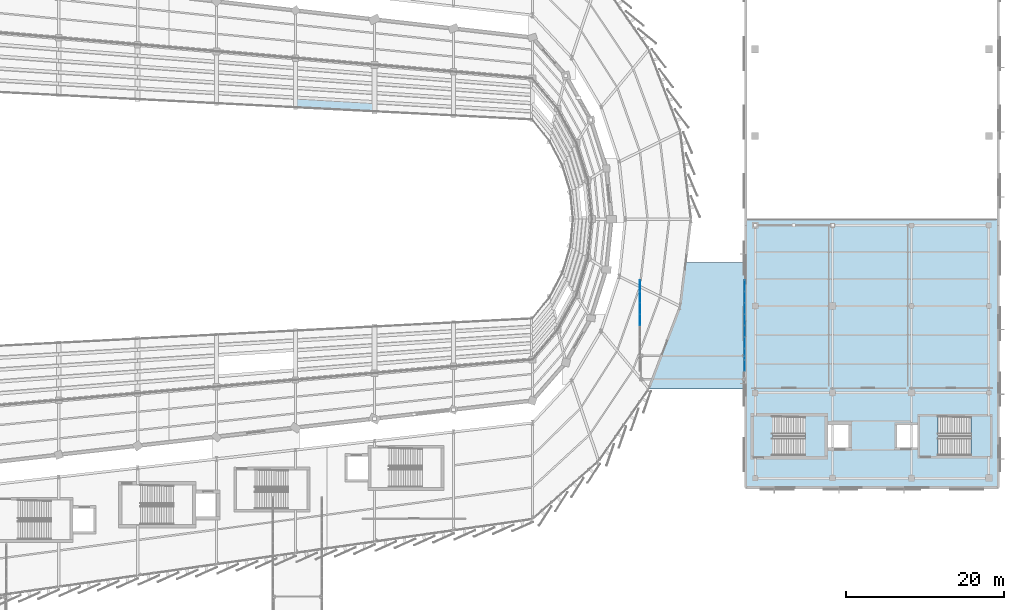
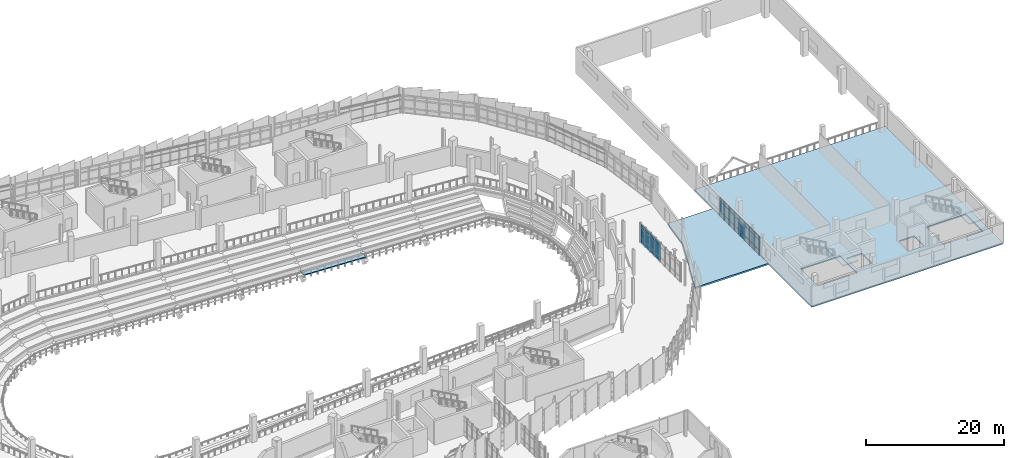
# One storey, part 99 of 134: 36 plates, 5 slabs, 4 elements without a shape of their own.
"""IFC4 building model written with IfcOpenShell, lengths in metres."""

import ifcopenshell
import ifcopenshell.guid

model = None  # the IFC model being written
_history = None  # IfcOwnerHistory: only IFC2X3 demands one
_inside = {}  # id of a spatial element -> (the spatial element, [elements in it])
_under = {}  # id of a project, library or spatial element -> (it, [spatial elements below it])
_declared = {}  # id of a project -> (the project, [libraries it declares])
_typed = {}  # id of a type object -> (the type object, [elements of that type])
_made_of = {}  # id of a material, layer set ... -> (it, [elements and type objects made of it])


def new_model(schema):
    """Start an empty IFC model of exactly this schema.

    Asked for "IFC4X3", IfcOpenShell would pick the latest addendum, in which some entities
    have other attributes; the version numbers below select the first issue.
    IFC2X3 requires an IfcOwnerHistory on every rooted entity: one is made here for all.
    """
    global model, _history
    if schema == "IFC4X3":
        model = ifcopenshell.file(schema_version=(4, 3, 0, 0))
    else:
        model = ifcopenshell.file(schema=schema)
    _inside.clear()
    _under.clear()
    _declared.clear()
    _typed.clear()
    _made_of.clear()
    _history = None
    if model.schema == "IFC2X3":
        org = make("IfcOrganization", Name="unknown")
        user = make(
            "IfcPersonAndOrganization",
            ThePerson=make("IfcPerson", FamilyName="unknown"),
            TheOrganization=org,
        )
        app = make(
            "IfcApplication",
            ApplicationDeveloper=org,
            Version="unknown",
            ApplicationFullName="unknown",
            ApplicationIdentifier="unknown",
        )
        _history = make(
            "IfcOwnerHistory",
            OwningUser=user,
            OwningApplication=app,
            ChangeAction="ADDED",
            CreationDate=0,
        )
    return model


def make(cls, **values):
    """One entity of the class cls with the attributes given. An attribute that is None is left unset."""
    return model.create_entity(
        cls, **{name: value for name, value in values.items() if value is not None}
    )


def rooted(cls, **values):
    """An entity with a GlobalId (a new one), such as an element, a storey or a relation."""
    return make(cls, GlobalId=ifcopenshell.guid.new(), OwnerHistory=_history, **values)


def si_unit(unit_type, name, prefix=None):
    """IfcSIUnit, for example si_unit("LENGTHUNIT", "METRE", prefix="MILLI")."""
    return make("IfcSIUnit", UnitType=unit_type, Prefix=prefix, Name=name)


def assignment(units):
    """IfcUnitAssignment: the units of a project."""
    return None if units is None else make("IfcUnitAssignment", Units=units)


def point(xyz):
    """IfcCartesianPoint."""
    return None if xyz is None else make("IfcCartesianPoint", Coordinates=xyz)


def direction(xyz):
    """IfcDirection."""
    return None if xyz is None else make("IfcDirection", DirectionRatios=xyz)


def frame(location, z_axis=None, x_axis=None):
    """IfcAxis2Placement3D, a coordinate frame: its origin and axes. An axis left out is left unset."""
    return make(
        "IfcAxis2Placement3D",
        Location=point(location),
        Axis=direction(z_axis),
        RefDirection=direction(x_axis),
    )


def frame_2d(location, x_axis=None):
    """IfcAxis2Placement2D, a coordinate frame in the plane: its origin and x axis."""
    return make(
        "IfcAxis2Placement2D", Location=point(location), RefDirection=direction(x_axis)
    )


def origin():
    """The frame at (0, 0, 0) with its axes left unset."""
    return frame((0.0, 0.0, 0.0))


def origin_2d():
    """The frame at (0, 0) in the plane with its x axis left unset."""
    return frame_2d((0.0, 0.0))


def place(relative_to, where):
    """IfcLocalPlacement: puts the frame where relative to a parent placement (None: the world)."""
    return make(
        "IfcLocalPlacement", PlacementRelTo=relative_to, RelativePlacement=where
    )


def context(
    kind, dimensions, precision=None, world=None, true_north=None, identifier=None
):
    """IfcGeometricRepresentationContext, for example the 3D "Model" context."""
    return make(
        "IfcGeometricRepresentationContext",
        ContextIdentifier=identifier,
        ContextType=kind,
        CoordinateSpaceDimension=dimensions,
        Precision=precision,
        WorldCoordinateSystem=world,
        TrueNorth=true_north,
    )


def subcontext(parent, identifier, kind, view, scale=None):
    """IfcGeometricRepresentationSubContext, for example "Body" below "Model"."""
    return make(
        "IfcGeometricRepresentationSubContext",
        ContextIdentifier=identifier,
        ContextType=kind,
        ParentContext=parent,
        TargetScale=scale,
        TargetView=view,
    )


def project(units=None, contexts=None):
    """IfcProject with its units and contexts."""
    return rooted(
        "IfcProject",
        Name="project",
        RepresentationContexts=contexts,
        UnitsInContext=assignment(units),
    )


def spatial(cls, under=None, at=None, **own):
    """A site, building, storey or space (cls), placed at a placement, below another one or the project."""
    s = rooted(cls, ObjectPlacement=at, **own)
    if under is not None:
        _under.setdefault(under.id(), (under, []))[1].append(s)
    return s


def polyline(points):
    """IfcPolyline through the points."""
    return make("IfcPolyline", Points=[point(p) for p in points])


def profile(cls, at=None, kind="AREA", **sizes):
    """A parametric profile (cls). Its sizes go by their IFC names, for example OverallWidth=200.0."""
    return make(cls, ProfileType=kind, Position=at, **sizes)


def rectangle(**sizes):
    """IfcRectangleProfileDef."""
    return profile("IfcRectangleProfileDef", **sizes)


def outline(outer, holes=None, kind="AREA"):
    """IfcArbitraryClosedProfileDef: a profile drawn as a closed curve; with holes, ...WithVoids."""
    if holes is None:
        return make("IfcArbitraryClosedProfileDef", ProfileType=kind, OuterCurve=outer)
    return make(
        "IfcArbitraryProfileDefWithVoids",
        ProfileType=kind,
        OuterCurve=outer,
        InnerCurves=holes,
    )


def extrude(swept, where, along, depth):
    """IfcExtrudedAreaSolid: the profile swept, set in the frame where, extruded along a direction by depth."""
    return make(
        "IfcExtrudedAreaSolid",
        SweptArea=swept,
        Position=where,
        ExtrudedDirection=direction(along),
        Depth=depth,
    )


def shape(context_of_items, identifier, shape_type, items):
    """IfcShapeRepresentation: the items that make up one representation, for example the "Body"."""
    return make(
        "IfcShapeRepresentation",
        ContextOfItems=context_of_items,
        RepresentationIdentifier=identifier,
        RepresentationType=shape_type,
        Items=items,
    )


def material(Name=None, Category=None):
    """IfcMaterial."""
    return make("IfcMaterial", Name=Name, Category=Category)


def layer(
    of_material, thickness, ventilated=None, Name=None, Category=None, Priority=None
):
    """IfcMaterialLayer: one layer of a wall or slab, of a material (None: an air gap)."""
    return make(
        "IfcMaterialLayer",
        Material=of_material,
        LayerThickness=thickness,
        IsVentilated=ventilated,
        Name=Name,
        Category=Category,
        Priority=Priority,
    )


def layer_set(layers, Name=None):
    """IfcMaterialLayerSet."""
    return make("IfcMaterialLayerSet", MaterialLayers=layers, LayerSetName=Name)


def made_of(thing, what):
    """Note that an element or type object is made of a material, layer set ...; save() writes the relation."""
    if what is not None:
        _made_of.setdefault(what.id(), (what, []))[1].append(thing)
    return thing


def type_object(cls, material=None, **own):
    """A type object (cls), such as IfcWallType, which elements share."""
    return made_of(rooted(cls, **own), material)


def element(
    cls,
    number,
    at=None,
    inside=None,
    cuts=None,
    type_object=None,
    material=None,
    context=None,
    identifier="Body",
    shape_type=None,
    held_by="IfcProductDefinitionShape",
    body=None,
    shapes=None,
    **own,
):
    """One element of the class cls, such as IfcWall. Its Tag is "e" and its number.

    at: its placement. inside: the storey or other place that contains it. cuts: it is an
    opening in that element (IfcRelVoidsElement). A single representation is given by context,
    identifier, shape_type and body (its items); several are given by shapes. held_by: the class
    of the entity that holds the representations. save() writes the other relations.
    """
    e = rooted(cls, Tag="e%d" % number, ObjectPlacement=at, **own)
    if body is not None:
        shapes = [shape(context, identifier, shape_type, body)]
    if shapes is not None:
        e.Representation = make(held_by, Representations=shapes)
    if inside is not None:
        _inside.setdefault(inside.id(), (inside, []))[1].append(e)
    if cuts is not None:
        rooted(
            "IfcRelVoidsElement", RelatingBuildingElement=cuts, RelatedOpeningElement=e
        )
    if type_object is not None:
        _typed.setdefault(type_object.id(), (type_object, []))[1].append(e)
    return made_of(e, material)


def aggregate(whole, parts):
    """IfcRelAggregates: a whole, such as a stair, and the parts it consists of."""
    return rooted("IfcRelAggregates", RelatingObject=whole, RelatedObjects=parts)


def save(model, path):
    """Write the relations noted so far, then the file.

    IfcRelAggregates (storeys below a building ...), IfcRelContainedInSpatialStructure (elements
    in a storey), IfcRelDefinesByType, IfcRelAssociatesMaterial and IfcRelDeclares: one each for
    every whole, place, type object, material and project.
    """
    for whole, parts in _under.values():
        aggregate(whole, parts)
    for where, things in _inside.values():
        rooted(
            "IfcRelContainedInSpatialStructure",
            RelatedElements=things,
            RelatingStructure=where,
        )
    for kind, things in _typed.values():
        rooted("IfcRelDefinesByType", RelatedObjects=things, RelatingType=kind)
    for what, things in _made_of.values():
        rooted("IfcRelAssociatesMaterial", RelatedObjects=things, RelatingMaterial=what)
    for by, libraries in _declared.values():
        rooted("IfcRelDeclares", RelatingContext=by, RelatedDefinitions=libraries)
    model.write(path)


model = new_model("IFC4")

# Units and contexts
model_context = context("Model", 3, precision=1e-05, world=origin(), true_north=direction((0.0, 1.0)))
body_context = subcontext(model_context, "Body", "Model", "MODEL_VIEW")
ifc_project = project(units=[si_unit("LENGTHUNIT", "METRE"), si_unit("AREAUNIT", "SQUARE_METRE"), si_unit("VOLUMEUNIT", "CUBIC_METRE"), si_unit("PLANEANGLEUNIT", "RADIAN"), si_unit("MASSUNIT", "GRAM", prefix="KILO")], contexts=[model_context])

# Site, building, storey
site_placement = place(None, origin())
site = spatial("IfcSite", under=ifc_project, at=site_placement, CompositionType="ELEMENT")
building_placement = place(site_placement, origin())
building = spatial("IfcBuilding", under=site, at=building_placement, Name="Sohan Crest Arena", CompositionType="ELEMENT")
storey_placement = place(building_placement, frame((0.0, 0.0, 4.5)))
storey = spatial("IfcBuildingStorey", under=building, at=storey_placement, Name="L01", CompositionType="ELEMENT", Elevation=4.5)

# Curtain wall, plates
ifc_material_1 = material(Name="Thermally broken anodised aluminium", Category="aluminium")
ifc_layer_1 = layer(ifc_material_1, 0.18994140625, Name="Thermally broken anodised aluminium")
ifc_layer_set_1 = layer_set([ifc_layer_1], Name="Thermally broken anodised aluminium")
curtain_wall_type = type_object("IfcCurtainWallType", Name="ARC-CW05", PredefinedType="NOTDEFINED", material=ifc_layer_set_1)
curtain_wall_1_placement = place(storey_placement, origin())
curtain_wall_1 = element("IfcCurtainWall", 1, at=curtain_wall_1_placement, inside=storey, type_object=curtain_wall_type, Name="Unitised curtain wall CW-241", PredefinedType="NOTDEFINED")
ifc_material_2 = material(Name="Low-E double-glazed insulated glass", Category="glass")
ifc_layer_2 = layer(ifc_material_2, 0.028076171875, Name="Low-E double-glazed insulated glass")
ifc_layer_set_2 = layer_set([ifc_layer_2], Name="Low-E double-glazed insulated glass")
plate_type = type_object("IfcPlateType", Name="ARC-CNP01", PredefinedType="CURTAIN_PANEL", material=ifc_layer_set_2)
plate_1_placement = place(storey_placement, frame((181.6201171875, 65.22509765625, 0.06005859375), z_axis=(0.0, 0.0, 1.0), x_axis=(0.0, 1.0, 0.0)))
plate_1 = element("IfcPlate", 2, at=plate_1_placement, type_object=plate_type, Name="CW-241 panel 5.1", PredefinedType="CURTAIN_PANEL", context=body_context, shape_type="SweptSolid", body=[
    extrude(rectangle(XDim=1.385009765625, YDim=0.028076171875, at=origin_2d()), origin(), (0.0, 0.0, 1.0), 0.81005859375),
])
plate_2_placement = place(storey_placement, frame((181.6201171875, 65.22509765625, 0.93017578125), z_axis=(0.0, 0.0, 1.0), x_axis=(0.0, 1.0, 0.0)))
plate_2 = element("IfcPlate", 3, at=plate_2_placement, type_object=plate_type, Name="CW-241 panel 5.2", PredefinedType="CURTAIN_PANEL", context=body_context, shape_type="SweptSolid", body=[
    extrude(rectangle(XDim=1.385009765625, YDim=0.028076171875, at=origin_2d()), origin(), (0.0, 0.0, 1.0), 1.739990234375),
])
plate_3_placement = place(storey_placement, frame((181.6201171875, 65.22509765625, 2.72998046875), z_axis=(0.0, 0.0, 1.0), x_axis=(0.0, 1.0, 0.0)))
plate_3 = element("IfcPlate", 4, at=plate_3_placement, type_object=plate_type, Name="CW-241 panel 5.3", PredefinedType="CURTAIN_PANEL", context=body_context, shape_type="SweptSolid", body=[
    extrude(rectangle(XDim=1.385009765625, YDim=0.028076171875, at=origin_2d()), origin(), (0.0, 0.0, 1.0), 0.610107421875),
])
plate_4_placement = place(storey_placement, frame((181.6201171875, 66.675048828125, 0.06005859375), z_axis=(0.0, 0.0, 1.0), x_axis=(0.0, 1.0, 0.0)))
plate_4 = element("IfcPlate", 5, at=plate_4_placement, type_object=plate_type, Name="CW-241 panel 6.1", PredefinedType="CURTAIN_PANEL", context=body_context, shape_type="SweptSolid", body=[
    extrude(rectangle(XDim=1.385009765625, YDim=0.028076171875, at=origin_2d()), origin(), (0.0, 0.0, 1.0), 0.81005859375),
])
plate_5_placement = place(storey_placement, frame((181.6201171875, 66.675048828125, 0.93017578125), z_axis=(0.0, 0.0, 1.0), x_axis=(0.0, 1.0, 0.0)))
plate_5 = element("IfcPlate", 6, at=plate_5_placement, type_object=plate_type, Name="CW-241 panel 6.2", PredefinedType="CURTAIN_PANEL", context=body_context, shape_type="SweptSolid", body=[
    extrude(rectangle(XDim=1.385009765625, YDim=0.028076171875, at=origin_2d()), origin(), (0.0, 0.0, 1.0), 1.739990234375),
])
plate_6_placement = place(storey_placement, frame((181.6201171875, 66.675048828125, 2.72998046875), z_axis=(0.0, 0.0, 1.0), x_axis=(0.0, 1.0, 0.0)))
plate_6 = element("IfcPlate", 7, at=plate_6_placement, type_object=plate_type, Name="CW-241 panel 6.3", PredefinedType="CURTAIN_PANEL", context=body_context, shape_type="SweptSolid", body=[
    extrude(rectangle(XDim=1.385009765625, YDim=0.028076171875, at=origin_2d()), origin(), (0.0, 0.0, 1.0), 0.610107421875),
])
plate_7_placement = place(storey_placement, frame((181.6201171875, 68.125, 0.06005859375), z_axis=(0.0, 0.0, 1.0), x_axis=(0.0, 1.0, 0.0)))
plate_7 = element("IfcPlate", 8, at=plate_7_placement, type_object=plate_type, Name="CW-241 panel 7.1", PredefinedType="CURTAIN_PANEL", context=body_context, shape_type="SweptSolid", body=[
    extrude(rectangle(XDim=1.385009765625, YDim=0.028076171875, at=origin_2d()), origin(), (0.0, 0.0, 1.0), 0.81005859375),
])
plate_8_placement = place(storey_placement, frame((181.6201171875, 68.125, 0.93017578125), z_axis=(0.0, 0.0, 1.0), x_axis=(0.0, 1.0, 0.0)))
plate_8 = element("IfcPlate", 9, at=plate_8_placement, type_object=plate_type, Name="CW-241 panel 7.2", PredefinedType="CURTAIN_PANEL", context=body_context, shape_type="SweptSolid", body=[
    extrude(rectangle(XDim=1.385009765625, YDim=0.028076171875, at=origin_2d()), origin(), (0.0, 0.0, 1.0), 1.739990234375),
])
plate_9_placement = place(storey_placement, frame((181.6201171875, 68.125, 2.72998046875), z_axis=(0.0, 0.0, 1.0), x_axis=(0.0, 1.0, 0.0)))
plate_9 = element("IfcPlate", 10, at=plate_9_placement, type_object=plate_type, Name="CW-241 panel 7.3", PredefinedType="CURTAIN_PANEL", context=body_context, shape_type="SweptSolid", body=[
    extrude(rectangle(XDim=1.385009765625, YDim=0.028076171875, at=origin_2d()), origin(), (0.0, 0.0, 1.0), 0.610107421875),
])
plate_10_placement = place(storey_placement, frame((181.6201171875, 69.558837890625, 0.06005859375), z_axis=(0.0, 0.0, 1.0), x_axis=(0.0, 1.0, 0.0)))
plate_10 = element("IfcPlate", 11, at=plate_10_placement, type_object=plate_type, Name="CW-241 panel 8.1", PredefinedType="CURTAIN_PANEL", context=body_context, shape_type="SweptSolid", body=[
    extrude(rectangle(XDim=1.3525390625, YDim=0.028076171875, at=origin_2d()), origin(), (0.0, 0.0, 1.0), 0.81005859375),
])
plate_11_placement = place(storey_placement, frame((181.6201171875, 69.558837890625, 0.93017578125), z_axis=(0.0, 0.0, 1.0), x_axis=(0.0, 1.0, 0.0)))
plate_11 = element("IfcPlate", 12, at=plate_11_placement, type_object=plate_type, Name="CW-241 panel 8.2", PredefinedType="CURTAIN_PANEL", context=body_context, shape_type="SweptSolid", body=[
    extrude(rectangle(XDim=1.3525390625, YDim=0.028076171875, at=origin_2d()), origin(), (0.0, 0.0, 1.0), 1.739990234375),
])
plate_12_placement = place(storey_placement, frame((181.6201171875, 69.558837890625, 2.72998046875), z_axis=(0.0, 0.0, 1.0), x_axis=(0.0, 1.0, 0.0)))
plate_12 = element("IfcPlate", 13, at=plate_12_placement, type_object=plate_type, Name="CW-241 panel 8.3", PredefinedType="CURTAIN_PANEL", context=body_context, shape_type="SweptSolid", body=[
    extrude(rectangle(XDim=1.3525390625, YDim=0.028076171875, at=origin_2d()), origin(), (0.0, 0.0, 1.0), 0.610107421875),
])
aggregate(curtain_wall_1, [plate_1, plate_2, plate_3, plate_4, plate_5, plate_6, plate_7, plate_8, plate_9, plate_10, plate_11, plate_12])

curtain_wall_2_placement = place(storey_placement, origin())
curtain_wall_2 = element("IfcCurtainWall", 14, at=curtain_wall_2_placement, inside=storey, type_object=curtain_wall_type, Name="Unitised curtain wall CW-242", PredefinedType="NOTDEFINED")
plate_13_placement = place(storey_placement, frame((194.8798828125, 59.441162109375, 0.06005859375), z_axis=(0.0, 0.0, 1.0), x_axis=(0.0, 1.0, 0.0)))
plate_13 = element("IfcPlate", 15, at=plate_13_placement, type_object=plate_type, Name="CW-242 panel 1.1", PredefinedType="CURTAIN_PANEL", context=body_context, shape_type="SweptSolid", body=[
    extrude(rectangle(XDim=1.3525390625, YDim=0.028076171875, at=origin_2d()), origin(), (0.0, 0.0, 1.0), 0.81005859375),
])
plate_14_placement = place(storey_placement, frame((194.8798828125, 59.441162109375, 0.93017578125), z_axis=(0.0, 0.0, 1.0), x_axis=(0.0, 1.0, 0.0)))
plate_14 = element("IfcPlate", 16, at=plate_14_placement, type_object=plate_type, Name="CW-242 panel 1.2", PredefinedType="CURTAIN_PANEL", context=body_context, shape_type="SweptSolid", body=[
    extrude(rectangle(XDim=1.3525390625, YDim=0.028076171875, at=origin_2d()), origin(), (0.0, 0.0, 1.0), 1.739990234375),
])
plate_15_placement = place(storey_placement, frame((194.8798828125, 59.441162109375, 2.72998046875), z_axis=(0.0, 0.0, 1.0), x_axis=(0.0, 1.0, 0.0)))
plate_15 = element("IfcPlate", 17, at=plate_15_placement, type_object=plate_type, Name="CW-242 panel 1.3", PredefinedType="CURTAIN_PANEL", context=body_context, shape_type="SweptSolid", body=[
    extrude(rectangle(XDim=1.3525390625, YDim=0.028076171875, at=origin_2d()), origin(), (0.0, 0.0, 1.0), 0.610107421875),
])
plate_16_placement = place(storey_placement, frame((194.8798828125, 60.875, 0.06005859375), z_axis=(0.0, 0.0, 1.0), x_axis=(0.0, 1.0, 0.0)))
plate_16 = element("IfcPlate", 18, at=plate_16_placement, type_object=plate_type, Name="CW-242 panel 2.1", PredefinedType="CURTAIN_PANEL", context=body_context, shape_type="SweptSolid", body=[
    extrude(rectangle(XDim=1.385009765625, YDim=0.028076171875, at=origin_2d()), origin(), (0.0, 0.0, 1.0), 0.81005859375),
])
plate_17_placement = place(storey_placement, frame((194.8798828125, 60.875, 0.93017578125), z_axis=(0.0, 0.0, 1.0), x_axis=(0.0, 1.0, 0.0)))
plate_17 = element("IfcPlate", 19, at=plate_17_placement, type_object=plate_type, Name="CW-242 panel 2.2", PredefinedType="CURTAIN_PANEL", context=body_context, shape_type="SweptSolid", body=[
    extrude(rectangle(XDim=1.385009765625, YDim=0.028076171875, at=origin_2d()), origin(), (0.0, 0.0, 1.0), 1.739990234375),
])
plate_18_placement = place(storey_placement, frame((194.8798828125, 60.875, 2.72998046875), z_axis=(0.0, 0.0, 1.0), x_axis=(0.0, 1.0, 0.0)))
plate_18 = element("IfcPlate", 20, at=plate_18_placement, type_object=plate_type, Name="CW-242 panel 2.3", PredefinedType="CURTAIN_PANEL", context=body_context, shape_type="SweptSolid", body=[
    extrude(rectangle(XDim=1.385009765625, YDim=0.028076171875, at=origin_2d()), origin(), (0.0, 0.0, 1.0), 0.610107421875),
])
plate_19_placement = place(storey_placement, frame((194.8798828125, 62.324951171875, 0.06005859375), z_axis=(0.0, 0.0, 1.0), x_axis=(0.0, 1.0, 0.0)))
plate_19 = element("IfcPlate", 21, at=plate_19_placement, type_object=plate_type, Name="CW-242 panel 3.1", PredefinedType="CURTAIN_PANEL", context=body_context, shape_type="SweptSolid", body=[
    extrude(rectangle(XDim=1.385009765625, YDim=0.028076171875, at=origin_2d()), origin(), (0.0, 0.0, 1.0), 0.81005859375),
])
plate_20_placement = place(storey_placement, frame((194.8798828125, 62.324951171875, 0.93017578125), z_axis=(0.0, 0.0, 1.0), x_axis=(0.0, 1.0, 0.0)))
plate_20 = element("IfcPlate", 22, at=plate_20_placement, type_object=plate_type, Name="CW-242 panel 3.2", PredefinedType="CURTAIN_PANEL", context=body_context, shape_type="SweptSolid", body=[
    extrude(rectangle(XDim=1.385009765625, YDim=0.028076171875, at=origin_2d()), origin(), (0.0, 0.0, 1.0), 1.739990234375),
])
plate_21_placement = place(storey_placement, frame((194.8798828125, 62.324951171875, 2.72998046875), z_axis=(0.0, 0.0, 1.0), x_axis=(0.0, 1.0, 0.0)))
plate_21 = element("IfcPlate", 23, at=plate_21_placement, type_object=plate_type, Name="CW-242 panel 3.3", PredefinedType="CURTAIN_PANEL", context=body_context, shape_type="SweptSolid", body=[
    extrude(rectangle(XDim=1.385009765625, YDim=0.028076171875, at=origin_2d()), origin(), (0.0, 0.0, 1.0), 0.610107421875),
])
plate_22_placement = place(storey_placement, frame((194.8798828125, 63.77490234375, 0.06005859375), z_axis=(0.0, 0.0, 1.0), x_axis=(0.0, 1.0, 0.0)))
plate_22 = element("IfcPlate", 24, at=plate_22_placement, type_object=plate_type, Name="CW-242 panel 4.1", PredefinedType="CURTAIN_PANEL", context=body_context, shape_type="SweptSolid", body=[
    extrude(rectangle(XDim=1.385009765625, YDim=0.028076171875, at=origin_2d()), origin(), (0.0, 0.0, 1.0), 0.81005859375),
])
plate_23_placement = place(storey_placement, frame((194.8798828125, 63.77490234375, 0.93017578125), z_axis=(0.0, 0.0, 1.0), x_axis=(0.0, 1.0, 0.0)))
plate_23 = element("IfcPlate", 25, at=plate_23_placement, type_object=plate_type, Name="CW-242 panel 4.2", PredefinedType="CURTAIN_PANEL", context=body_context, shape_type="SweptSolid", body=[
    extrude(rectangle(XDim=1.385009765625, YDim=0.028076171875, at=origin_2d()), origin(), (0.0, 0.0, 1.0), 1.739990234375),
])
plate_24_placement = place(storey_placement, frame((194.8798828125, 63.77490234375, 2.72998046875), z_axis=(0.0, 0.0, 1.0), x_axis=(0.0, 1.0, 0.0)))
plate_24 = element("IfcPlate", 26, at=plate_24_placement, type_object=plate_type, Name="CW-242 panel 4.3", PredefinedType="CURTAIN_PANEL", context=body_context, shape_type="SweptSolid", body=[
    extrude(rectangle(XDim=1.385009765625, YDim=0.028076171875, at=origin_2d()), origin(), (0.0, 0.0, 1.0), 0.610107421875),
])
plate_25_placement = place(storey_placement, frame((194.8798828125, 65.22509765625, 0.06005859375), z_axis=(0.0, 0.0, 1.0), x_axis=(0.0, 1.0, 0.0)))
plate_25 = element("IfcPlate", 27, at=plate_25_placement, type_object=plate_type, Name="CW-242 panel 5.1", PredefinedType="CURTAIN_PANEL", context=body_context, shape_type="SweptSolid", body=[
    extrude(rectangle(XDim=1.385009765625, YDim=0.028076171875, at=origin_2d()), origin(), (0.0, 0.0, 1.0), 0.81005859375),
])
plate_26_placement = place(storey_placement, frame((194.8798828125, 65.22509765625, 0.93017578125), z_axis=(0.0, 0.0, 1.0), x_axis=(0.0, 1.0, 0.0)))
plate_26 = element("IfcPlate", 28, at=plate_26_placement, type_object=plate_type, Name="CW-242 panel 5.2", PredefinedType="CURTAIN_PANEL", context=body_context, shape_type="SweptSolid", body=[
    extrude(rectangle(XDim=1.385009765625, YDim=0.028076171875, at=origin_2d()), origin(), (0.0, 0.0, 1.0), 1.739990234375),
])
plate_27_placement = place(storey_placement, frame((194.8798828125, 65.22509765625, 2.72998046875), z_axis=(0.0, 0.0, 1.0), x_axis=(0.0, 1.0, 0.0)))
plate_27 = element("IfcPlate", 29, at=plate_27_placement, type_object=plate_type, Name="CW-242 panel 5.3", PredefinedType="CURTAIN_PANEL", context=body_context, shape_type="SweptSolid", body=[
    extrude(rectangle(XDim=1.385009765625, YDim=0.028076171875, at=origin_2d()), origin(), (0.0, 0.0, 1.0), 0.610107421875),
])
plate_28_placement = place(storey_placement, frame((194.8798828125, 66.675048828125, 0.06005859375), z_axis=(0.0, 0.0, 1.0), x_axis=(0.0, 1.0, 0.0)))
plate_28 = element("IfcPlate", 30, at=plate_28_placement, type_object=plate_type, Name="CW-242 panel 6.1", PredefinedType="CURTAIN_PANEL", context=body_context, shape_type="SweptSolid", body=[
    extrude(rectangle(XDim=1.385009765625, YDim=0.028076171875, at=origin_2d()), origin(), (0.0, 0.0, 1.0), 0.81005859375),
])
plate_29_placement = place(storey_placement, frame((194.8798828125, 66.675048828125, 0.93017578125), z_axis=(0.0, 0.0, 1.0), x_axis=(0.0, 1.0, 0.0)))
plate_29 = element("IfcPlate", 31, at=plate_29_placement, type_object=plate_type, Name="CW-242 panel 6.2", PredefinedType="CURTAIN_PANEL", context=body_context, shape_type="SweptSolid", body=[
    extrude(rectangle(XDim=1.385009765625, YDim=0.028076171875, at=origin_2d()), origin(), (0.0, 0.0, 1.0), 1.739990234375),
])
plate_30_placement = place(storey_placement, frame((194.8798828125, 66.675048828125, 2.72998046875), z_axis=(0.0, 0.0, 1.0), x_axis=(0.0, 1.0, 0.0)))
plate_30 = element("IfcPlate", 32, at=plate_30_placement, type_object=plate_type, Name="CW-242 panel 6.3", PredefinedType="CURTAIN_PANEL", context=body_context, shape_type="SweptSolid", body=[
    extrude(rectangle(XDim=1.385009765625, YDim=0.028076171875, at=origin_2d()), origin(), (0.0, 0.0, 1.0), 0.610107421875),
])
plate_31_placement = place(storey_placement, frame((194.8798828125, 68.125, 0.06005859375), z_axis=(0.0, 0.0, 1.0), x_axis=(0.0, 1.0, 0.0)))
plate_31 = element("IfcPlate", 33, at=plate_31_placement, type_object=plate_type, Name="CW-242 panel 7.1", PredefinedType="CURTAIN_PANEL", context=body_context, shape_type="SweptSolid", body=[
    extrude(rectangle(XDim=1.385009765625, YDim=0.028076171875, at=origin_2d()), origin(), (0.0, 0.0, 1.0), 0.81005859375),
])
plate_32_placement = place(storey_placement, frame((194.8798828125, 68.125, 0.93017578125), z_axis=(0.0, 0.0, 1.0), x_axis=(0.0, 1.0, 0.0)))
plate_32 = element("IfcPlate", 34, at=plate_32_placement, type_object=plate_type, Name="CW-242 panel 7.2", PredefinedType="CURTAIN_PANEL", context=body_context, shape_type="SweptSolid", body=[
    extrude(rectangle(XDim=1.385009765625, YDim=0.028076171875, at=origin_2d()), origin(), (0.0, 0.0, 1.0), 1.739990234375),
])
plate_33_placement = place(storey_placement, frame((194.8798828125, 68.125, 2.72998046875), z_axis=(0.0, 0.0, 1.0), x_axis=(0.0, 1.0, 0.0)))
plate_33 = element("IfcPlate", 35, at=plate_33_placement, type_object=plate_type, Name="CW-242 panel 7.3", PredefinedType="CURTAIN_PANEL", context=body_context, shape_type="SweptSolid", body=[
    extrude(rectangle(XDim=1.385009765625, YDim=0.028076171875, at=origin_2d()), origin(), (0.0, 0.0, 1.0), 0.610107421875),
])
plate_34_placement = place(storey_placement, frame((194.8798828125, 69.558837890625, 0.06005859375), z_axis=(0.0, 0.0, 1.0), x_axis=(0.0, 1.0, 0.0)))
plate_34 = element("IfcPlate", 36, at=plate_34_placement, type_object=plate_type, Name="CW-242 panel 8.1", PredefinedType="CURTAIN_PANEL", context=body_context, shape_type="SweptSolid", body=[
    extrude(rectangle(XDim=1.3525390625, YDim=0.028076171875, at=origin_2d()), origin(), (0.0, 0.0, 1.0), 0.81005859375),
])
plate_35_placement = place(storey_placement, frame((194.8798828125, 69.558837890625, 0.93017578125), z_axis=(0.0, 0.0, 1.0), x_axis=(0.0, 1.0, 0.0)))
plate_35 = element("IfcPlate", 37, at=plate_35_placement, type_object=plate_type, Name="CW-242 panel 8.2", PredefinedType="CURTAIN_PANEL", context=body_context, shape_type="SweptSolid", body=[
    extrude(rectangle(XDim=1.3525390625, YDim=0.028076171875, at=origin_2d()), origin(), (0.0, 0.0, 1.0), 1.739990234375),
])
plate_36_placement = place(storey_placement, frame((194.8798828125, 69.558837890625, 2.72998046875), z_axis=(0.0, 0.0, 1.0), x_axis=(0.0, 1.0, 0.0)))
plate_36 = element("IfcPlate", 38, at=plate_36_placement, type_object=plate_type, Name="CW-242 panel 8.3", PredefinedType="CURTAIN_PANEL", context=body_context, shape_type="SweptSolid", body=[
    extrude(rectangle(XDim=1.3525390625, YDim=0.028076171875, at=origin_2d()), origin(), (0.0, 0.0, 1.0), 0.610107421875),
])
aggregate(curtain_wall_2, [plate_13, plate_14, plate_15, plate_16, plate_17, plate_18, plate_19, plate_20, plate_21, plate_22, plate_23, plate_24, plate_25, plate_26, plate_27, plate_28, plate_29, plate_30, plate_31, plate_32, plate_33, plate_34, plate_35, plate_36])

# Slabs
ifc_material_3 = material(Name="Concrete C40/50", Category="concrete")
ifc_layer_3 = layer(ifc_material_3, 0.22998046875, Name="Concrete C40/50")
ifc_layer_set_3 = layer_set([ifc_layer_3], Name="Concrete C40/50")
slab_type_1 = type_object("IfcSlabType", Name="SL-FLR2", PredefinedType="FLOOR", material=ifc_layer_set_3)
slab_1_placement = place(storey_placement, frame((0.0, 0.0, -0.22998046875)))
element("IfcSlab", 39, at=slab_1_placement, inside=storey, type_object=slab_type_1, Name="Community sports wing L01 slab SL-L01-V4", PredefinedType="FLOOR", context=body_context, shape_type="SweptSolid", body=[
    extrude(outline(polyline([(195.0, 44.0), (195.0, 78.0), (227.0, 78.0), (227.0, 44.0), (195.0, 44.0)]), holes=[polyline([(204.949951171875, 48.0), (204.949951171875, 53.0), (198.3701171875, 53.0), (198.3701171875, 48.0), (204.949951171875, 48.0)]), polyline([(205.39990234375, 49.050048828125), (208.0, 49.050048828125), (208.0, 51.949951171875), (205.39990234375, 51.949951171875), (205.39990234375, 49.050048828125)]), polyline([(219.3701171875, 53.0), (219.3701171875, 48.0), (225.949951171875, 48.0), (225.949951171875, 53.0), (219.3701171875, 53.0)]), polyline([(216.75, 51.949951171875), (214.14990234375, 51.949951171875), (214.14990234375, 49.050048828125), (216.75, 49.050048828125), (216.75, 51.949951171875)])]), origin(), (0.0, 0.0, 1.0), 0.22998046875),
])
ifc_layer_4 = layer(ifc_material_3, 0.27490234375, Name="Concrete C40/50")
ifc_layer_set_4 = layer_set([ifc_layer_4], Name="Concrete C40/50")
slab_type_2 = type_object("IfcSlabType", Name="SL-FLR4", PredefinedType="FLOOR", material=ifc_layer_set_4)
slab_2_placement = place(storey_placement, frame((0.0, 0.0, -0.27490234375)))
element("IfcSlab", 40, at=slab_2_placement, inside=storey, type_object=slab_type_2, Name="Covered bridge BR-E1 L01 deck SL-BR-E1-L01", PredefinedType="FLOOR", context=body_context, shape_type="SweptSolid", body=[
    extrude(outline(polyline([(195.0, 56.5), (182.740966796875, 56.5), (182.7490234375, 56.510986328125), (186.72509765625, 66.929931640625), (187.405029296875, 72.5), (195.0, 72.5), (195.0, 56.5)])), origin(), (0.0, 0.0, 1.0), 0.27490234375),
])

# Stair, slab
stair_type = type_object("IfcStairType", Name="ST-450W", PredefinedType="TWO_STRAIGHT_RUN_STAIR", material=ifc_material_3)
stair_1_placement = place(storey_placement, origin())
stair_1 = element("IfcStair", 41, at=stair_1_placement, inside=storey, type_object=stair_type, Name="Protected exit stair ST15-L01", PredefinedType="TWO_STRAIGHT_RUN_STAIR")
ifc_layer_5 = layer(ifc_material_3, 0.199951171875, Name="Concrete C40/50")
ifc_layer_set_5 = layer_set([ifc_layer_5], Name="Concrete C40/50")
slab_type_3 = type_object("IfcSlabType", Name="SL-LND1", PredefinedType="LANDING", material=ifc_layer_set_5)
slab_3_placement = place(storey_placement, frame((0.0, 0.0, 2.050048828125)))
slab_3 = element("IfcSlab", 42, at=slab_3_placement, type_object=slab_type_3, Name="ST15-L01 landing 1", PredefinedType="LANDING", context=body_context, shape_type="SweptSolid", body=[
    extrude(outline(polyline([(202.530029296875, 47.85009765625), (205.10009765625, 47.85009765625), (205.10009765625, 53.14990234375), (202.530029296875, 53.14990234375), (202.530029296875, 47.85009765625)])), origin(), (0.0, 0.0, 1.0), 0.199951171875),
])
aggregate(stair_1, [slab_3])

stair_2_placement = place(storey_placement, origin())
stair_2 = element("IfcStair", 43, at=stair_2_placement, inside=storey, type_object=stair_type, Name="Protected exit stair ST16-L01", PredefinedType="TWO_STRAIGHT_RUN_STAIR")
slab_4_placement = place(storey_placement, frame((0.0, 0.0, 2.050048828125)))
slab_4 = element("IfcSlab", 44, at=slab_4_placement, type_object=slab_type_3, Name="ST16-L01 landing 1", PredefinedType="LANDING", context=body_context, shape_type="SweptSolid", body=[
    extrude(outline(polyline([(223.530029296875, 47.85009765625), (226.10009765625, 47.85009765625), (226.10009765625, 53.14990234375), (223.530029296875, 53.14990234375), (223.530029296875, 47.85009765625)])), origin(), (0.0, 0.0, 1.0), 0.199951171875),
])
aggregate(stair_2, [slab_4])

# Slab
ifc_material_4 = material(Name="Precast concrete C50/60", Category="concrete")
ifc_layer_6 = layer(ifc_material_4, 0.179931640625, Name="Precast concrete C50/60")
ifc_layer_set_6 = layer_set([ifc_layer_6], Name="Precast concrete C50/60")
slab_type_4 = type_object("IfcSlabType", Name="SL-TIER1", PredefinedType="USERDEFINED", material=ifc_layer_set_6)
slab_5_placement = place(storey_placement, frame((0.0, 0.0, -3.865966796875)))
element("IfcSlab", 45, at=slab_5_placement, inside=storey, type_object=slab_type_4, Name="Lower bowl precast seating tier ST-LOW-216", ObjectType="SEATING TIER", PredefinedType="USERDEFINED", context=body_context, shape_type="SweptSolid", body=[
    extrude(outline(polyline([(148.0, 91.62890625), (138.0, 92.14306640625), (138.0, 93.339111328125), (148.0, 92.759033203125), (148.0, 91.62890625)])), origin(), (0.0, 0.0, 1.0), 0.179931640625),
])

save(model, "model.ifc")
